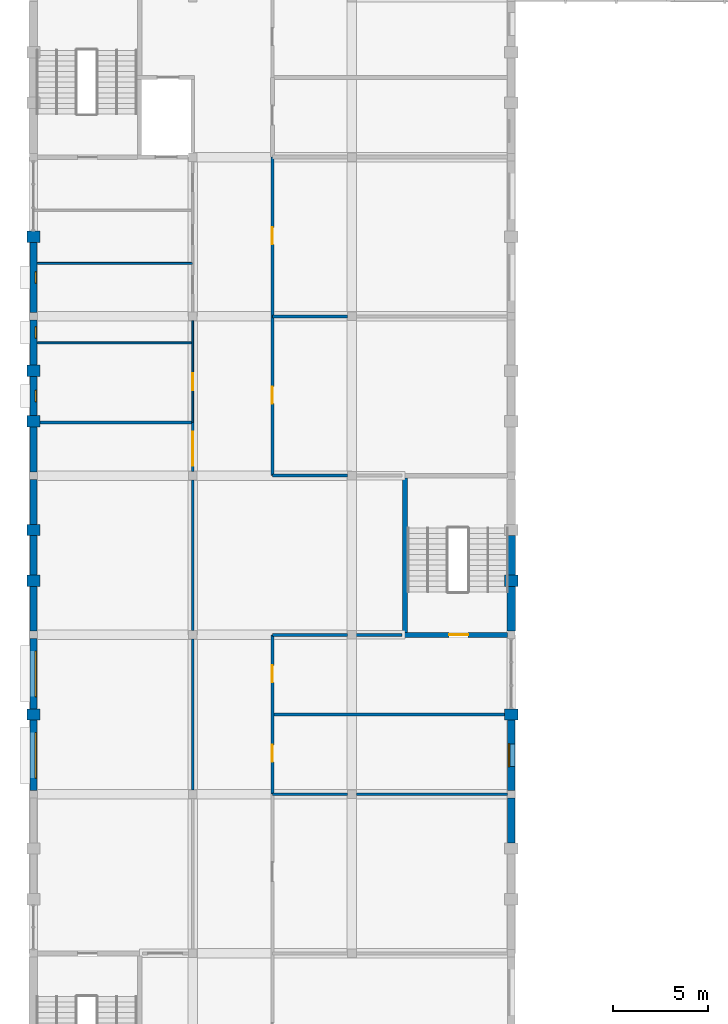
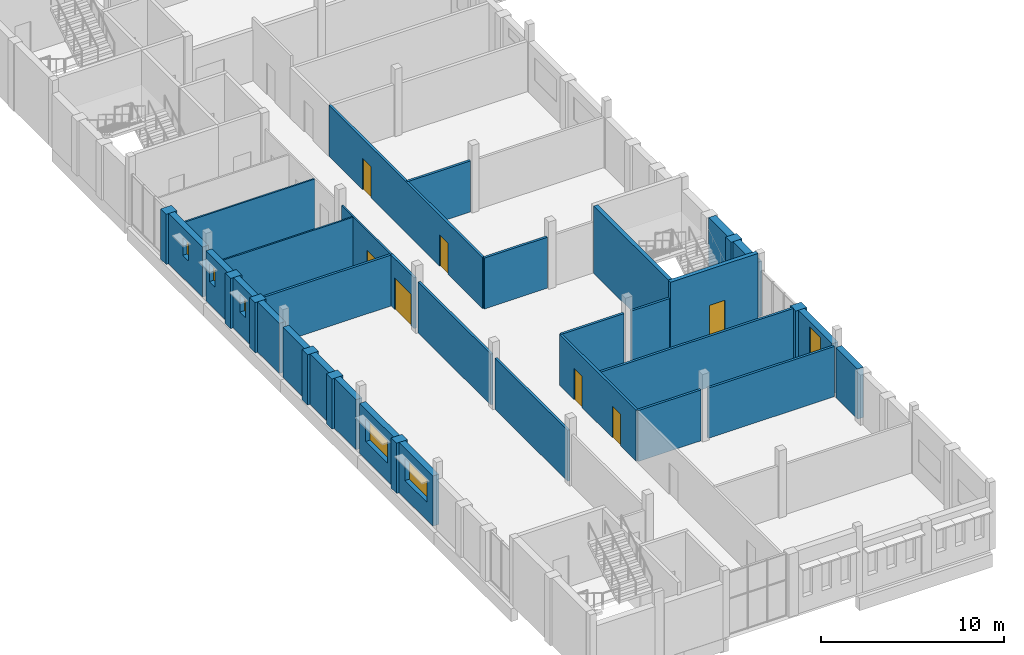
# One storey, part 19 of 30: 39 walls, 7 doors, 6 windows, 13 openings.
"""IFC4 building model written with IfcOpenShell, lengths in metres."""

from ifc_helpers import new_model, si_unit, direction, frame, frame_2d, origin, place, context, subcontext, project, spatial, rectangle, extrude, material, layer, layer_set, type_object, element, fill, save


model = new_model("IFC4")

# Units and contexts
model_context = context("Model", 3, precision=1e-05, world=origin(), true_north=direction((0.0, 1.0)))
body_context = subcontext(model_context, "Body", "Model", "MODEL_VIEW")
ifc_project = project(units=[si_unit("LENGTHUNIT", "METRE"), si_unit("AREAUNIT", "SQUARE_METRE"), si_unit("VOLUMEUNIT", "CUBIC_METRE"), si_unit("PLANEANGLEUNIT", "RADIAN"), si_unit("MASSUNIT", "GRAM", prefix="KILO")], contexts=[model_context])

# Site, building, storey
site_placement = place(None, origin())
site = spatial("IfcSite", under=ifc_project, at=site_placement, CompositionType="ELEMENT")
building_placement = place(site_placement, origin())
building = spatial("IfcBuilding", under=site, at=building_placement, Name="Fescue Hill Polytechnic", CompositionType="ELEMENT")
storey_placement = place(building_placement, frame((0.0, 0.0, 22.5)))
storey = spatial("IfcBuildingStorey", under=building, at=storey_placement, Name="L05", CompositionType="ELEMENT", Elevation=22.5)

# Wall, opening, door
ifc_material_1 = material(Name="Concrete 40 MPa", Category="concrete")
ifc_layer_1 = layer(ifc_material_1, 0.25)
ifc_layer_set_1 = layer_set([ifc_layer_1], Name="Concrete 40 MPa")
wall_type_1 = type_object("IfcWallType", Name="Core wall 250", PredefinedType="SHEAR", material=ifc_layer_set_1)
wall_1_placement = place(storey_placement, frame((19.47509765625, 75.60009765625, 0.0), z_axis=(0.0, 0.0, 1.0), x_axis=(1.0, 0.0, 0.0)))
wall_1 = element("IfcWall", 1, at=wall_1_placement, inside=storey, type_object=wall_type_1, Name="CW-L05-ST-V4-3-11", PredefinedType="SHEAR", context=body_context, shape_type="SweptSolid", body=[
    extrude(rectangle(XDim=5.52490234375, YDim=0.25, at=frame_2d((2.762451171875, 0.0))), origin(), (0.0, 0.0, 1.0), 4.5),
])
opening_1_placement = place(wall_1_placement, frame((2.449951171875, 0.0, 0.0)))
opening_1 = element("IfcOpeningElement", 2, at=opening_1_placement, cuts=wall_1, Name="Opening D5042", PredefinedType="OPENING", context=body_context, shape_type="SweptSolid", body=[
    extrude(rectangle(XDim=1.0, YDim=2.10009765625, at=frame_2d((0.5, 1.050048828125))), frame((0.0, 0.135009765625, 0.0), z_axis=(0.0, -1.0, 0.0), x_axis=(1.0, 0.0, 0.0)), (0.0, 0.0, 1.0), 0.27001953125),
])
ifc_material_2 = material(Name="Steel fire door", Category="steel")
door_type_1 = type_object("IfcDoorType", Name="Door single swing 1000x2100 stair fire rated", OperationType="NOTDEFINED", PredefinedType="DOOR", material=ifc_material_2)
door_1_placement = place(opening_1_placement, origin())
door_1 = element("IfcDoor", 3, at=door_1_placement, inside=storey, type_object=door_type_1, Name="L05 ST-V4-3 stair door", OperationType="SINGLE_SWING_RIGHT", OverallHeight=2.10009765625, OverallWidth=1.0, PredefinedType="DOOR", context=body_context, shape_type="SweptSolid", body=[
    extrude(rectangle(XDim=1.0, YDim=2.10009765625, at=frame_2d((0.5, 1.050048828125))), frame((0.0, 0.02490234375, 0.0), z_axis=(0.0, -1.0, 0.0), x_axis=(1.0, 0.0, 0.0)), (0.0, 0.0, 1.0), 0.050048828125),
])
fill(opening_1, door_1)

# Wall
wall_2_placement = place(storey_placement, frame((19.60009765625, 75.72509765625, 0.0), z_axis=(0.0, 0.0, 1.0), x_axis=(0.0, 1.0, 0.0)))
element("IfcWall", 4, at=wall_2_placement, inside=storey, type_object=wall_type_1, Name="CW-L05-ST-V4-3-31", PredefinedType="SHEAR", context=body_context, shape_type="SweptSolid", body=[
    extrude(rectangle(XDim=8.14990234375, YDim=0.25, at=frame_2d((4.074951171875, 0.0))), origin(), (0.0, 0.0, 1.0), 4.5),
])

# Wall, openings, doors
ifc_material_3 = material(Name="Gypsum board partition")
ifc_layer_2 = layer(ifc_material_3, 0.14990234375)
ifc_layer_set_2 = layer_set([ifc_layer_2], Name="Gypsum board partition")
wall_type_2 = type_object("IfcWallType", Name="Corridor wall 150 EI 45", PredefinedType="PARTITIONING", material=ifc_layer_set_2)
wall_3_placement = place(storey_placement, frame((12.60009765625, 67.199951171875, 0.0), z_axis=(0.0, 0.0, 1.0), x_axis=(0.0, 1.0, 0.0)))
wall_3 = element("IfcWall", 5, at=wall_3_placement, inside=storey, type_object=wall_type_2, Name="IW-L05-049", PredefinedType="PARTITIONING", context=body_context, shape_type="SweptSolid", body=[
    extrude(rectangle(XDim=8.400146484375, YDim=0.14990234375, at=frame_2d((4.2001953125, 0.0))), origin(), (0.0, 0.0, 1.0), 3.39990234375),
])
opening_2_placement = place(wall_3_placement, frame((1.699951171875, 0.0, 0.0)))
opening_2 = element("IfcOpeningElement", 6, at=opening_2_placement, cuts=wall_3, Name="Opening D5011", PredefinedType="OPENING", context=body_context, shape_type="SweptSolid", body=[
    extrude(rectangle(XDim=0.89990234375, YDim=2.10009765625, at=frame_2d((0.449951171875, 1.050048828125))), frame((0.0, 0.0849609375, 0.0), z_axis=(0.0, -1.0, 0.0), x_axis=(1.0, 0.0, 0.0)), (0.0, 0.0, 1.0), 0.169921875),
])
opening_3_placement = place(wall_3_placement, frame((5.89990234375, 0.0, 0.0)))
opening_3 = element("IfcOpeningElement", 7, at=opening_3_placement, cuts=wall_3, Name="Opening D5012", PredefinedType="OPENING", context=body_context, shape_type="SweptSolid", body=[
    extrude(rectangle(XDim=0.89990234375, YDim=2.10009765625, at=frame_2d((0.449951171875, 1.050048828125))), frame((0.0, 0.0849609375, 0.0), z_axis=(0.0, -1.0, 0.0), x_axis=(1.0, 0.0, 0.0)), (0.0, 0.0, 1.0), 0.169921875),
])
ifc_material_4 = material(Name="Timber", Category="wood")
door_type_2 = type_object("IfcDoorType", Name="Door single swing 900x2100 FD30S", OperationType="SINGLE_SWING_LEFT", PredefinedType="DOOR", material=ifc_material_4)
door_2_placement = place(opening_2_placement, origin())
door_2 = element("IfcDoor", 8, at=door_2_placement, inside=storey, type_object=door_type_2, Name="Door D5011", OperationType="SINGLE_SWING_LEFT", OverallHeight=2.10009765625, OverallWidth=0.89990234375, PredefinedType="DOOR", context=body_context, shape_type="SweptSolid", body=[
    extrude(rectangle(XDim=0.89990234375, YDim=2.10009765625, at=frame_2d((0.449951171875, 1.050048828125))), frame((0.0, 0.02490234375, 0.0), z_axis=(0.0, -1.0, 0.0), x_axis=(1.0, 0.0, 0.0)), (0.0, 0.0, 1.0), 0.050048828125),
])
fill(opening_2, door_2)
door_3_placement = place(opening_3_placement, origin())
door_3 = element("IfcDoor", 9, at=door_3_placement, inside=storey, type_object=door_type_2, Name="Door D5012", OperationType="SINGLE_SWING_RIGHT", OverallHeight=2.10009765625, OverallWidth=0.89990234375, PredefinedType="DOOR", context=body_context, shape_type="SweptSolid", body=[
    extrude(rectangle(XDim=0.89990234375, YDim=2.10009765625, at=frame_2d((0.449951171875, 1.050048828125))), frame((0.0, 0.02490234375, 0.0), z_axis=(0.0, -1.0, 0.0), x_axis=(1.0, 0.0, 0.0)), (0.0, 0.0, 1.0), 0.050048828125),
])
fill(opening_3, door_3)

wall_4_placement = place(storey_placement, frame((12.60009765625, 84.0, 0.0), z_axis=(0.0, 0.0, 1.0), x_axis=(0.0, 1.0, 0.0)))
wall_4 = element("IfcWall", 10, at=wall_4_placement, inside=storey, type_object=wall_type_2, Name="IW-L05-050", PredefinedType="PARTITIONING", context=body_context, shape_type="SweptSolid", body=[
    extrude(rectangle(XDim=16.800048828125, YDim=0.14990234375, at=frame_2d((8.39990234375, 0.0))), origin(), (0.0, 0.0, 1.0), 3.39990234375),
])
opening_4_placement = place(wall_4_placement, frame((3.800048828125, 0.0, 0.0)))
opening_4 = element("IfcOpeningElement", 11, at=opening_4_placement, cuts=wall_4, Name="Opening D5013", PredefinedType="OPENING", context=body_context, shape_type="SweptSolid", body=[
    extrude(rectangle(XDim=0.89990234375, YDim=2.10009765625, at=frame_2d((0.449951171875, 1.050048828125))), frame((0.0, 0.0849609375, 0.0), z_axis=(0.0, -1.0, 0.0), x_axis=(1.0, 0.0, 0.0)), (0.0, 0.0, 1.0), 0.169921875),
])
opening_5_placement = place(wall_4_placement, frame((12.199951171875, 0.0, 0.0)))
opening_5 = element("IfcOpeningElement", 12, at=opening_5_placement, cuts=wall_4, Name="Opening D5014", PredefinedType="OPENING", context=body_context, shape_type="SweptSolid", body=[
    extrude(rectangle(XDim=0.89990234375, YDim=2.10009765625, at=frame_2d((0.449951171875, 1.050048828125))), frame((0.0, 0.0849609375, 0.0), z_axis=(0.0, -1.0, 0.0), x_axis=(1.0, 0.0, 0.0)), (0.0, 0.0, 1.0), 0.169921875),
])
door_4_placement = place(opening_4_placement, origin())
door_4 = element("IfcDoor", 13, at=door_4_placement, inside=storey, type_object=door_type_2, Name="Door D5013", OperationType="SINGLE_SWING_LEFT", OverallHeight=2.10009765625, OverallWidth=0.89990234375, PredefinedType="DOOR", context=body_context, shape_type="SweptSolid", body=[
    extrude(rectangle(XDim=0.89990234375, YDim=2.10009765625, at=frame_2d((0.449951171875, 1.050048828125))), frame((0.0, 0.02490234375, 0.0), z_axis=(0.0, -1.0, 0.0), x_axis=(1.0, 0.0, 0.0)), (0.0, 0.0, 1.0), 0.050048828125),
])
fill(opening_4, door_4)
door_5_placement = place(opening_5_placement, origin())
door_5 = element("IfcDoor", 14, at=door_5_placement, inside=storey, type_object=door_type_2, Name="Door D5014", OperationType="SINGLE_SWING_RIGHT", OverallHeight=2.10009765625, OverallWidth=0.89990234375, PredefinedType="DOOR", context=body_context, shape_type="SweptSolid", body=[
    extrude(rectangle(XDim=0.89990234375, YDim=2.10009765625, at=frame_2d((0.449951171875, 1.050048828125))), frame((0.0, 0.02490234375, 0.0), z_axis=(0.0, -1.0, 0.0), x_axis=(1.0, 0.0, 0.0)), (0.0, 0.0, 1.0), 0.050048828125),
])
fill(opening_5, door_5)

# Walls
ifc_layer_3 = layer(ifc_material_1, 0.449951171875)
ifc_layer_set_3 = layer_set([ifc_layer_3], Name="Concrete 40 MPa")
wall_type_3 = type_object("IfcWallType", Name="Exterior wall board-marked concrete 450 load-bearing", PredefinedType="SOLIDWALL", material=ifc_layer_set_3)
wall_5_placement = place(storey_placement, frame((25.199951171875, 75.800048828125, 0.0), z_axis=(0.0, 0.0, 1.0), x_axis=(0.0, 1.0, 0.0)))
element("IfcWall", 15, at=wall_5_placement, inside=storey, type_object=wall_type_3, Name="EW-L05-V4-8", PredefinedType="SOLIDWALL", context=body_context, shape_type="SweptSolid", body=[
    extrude(rectangle(XDim=2.36669921875, YDim=0.449951171875, at=frame_2d((1.183349609375, 0.0))), origin(), (0.0, 0.0, 1.0), 3.64990234375),
])
wall_6_placement = place(storey_placement, frame((25.199951171875, 78.7666015625, 0.0), z_axis=(0.0, 0.0, 1.0), x_axis=(0.0, 1.0, 0.0)))
element("IfcWall", 16, at=wall_6_placement, inside=storey, type_object=wall_type_3, Name="EW-L05-V4-9", PredefinedType="SOLIDWALL", context=body_context, shape_type="SweptSolid", body=[
    extrude(rectangle(XDim=2.066650390625, YDim=0.449951171875, at=frame_2d((1.033203125, 0.0))), origin(), (0.0, 0.0, 1.0), 3.64990234375),
])
ifc_material_5 = material(Name="Terracotta rainscreen on concrete block", Category="masonry")
ifc_layer_4 = layer(ifc_material_5, 0.3798828125)
ifc_layer_set_4 = layer_set([ifc_layer_4], Name="Terracotta rainscreen on concrete block")
wall_type_4 = type_object("IfcWallType", Name="Exterior wall rainscreen terracotta on blockwork 380", PredefinedType="SOLIDWALL", material=ifc_layer_set_4)
wall_7_placement = place(storey_placement, frame((25.199951171875, 64.63330078125, 0.0), z_axis=(0.0, 0.0, 1.0), x_axis=(0.0, 1.0, 0.0)))
element("IfcWall", 17, at=wall_7_placement, inside=storey, type_object=wall_type_4, Name="EW-L05-V4-5", PredefinedType="SOLIDWALL", context=body_context, shape_type="SweptSolid", body=[
    extrude(rectangle(XDim=2.36669921875, YDim=0.3798828125, at=frame_2d((1.183349609375, 0.0))), origin(), (0.0, 0.0, 1.0), 3.35009765625),
])

# Wall, opening, window
wall_8_placement = place(storey_placement, frame((25.199951171875, 67.39990234375, 0.0), z_axis=(0.0, 0.0, 1.0), x_axis=(0.0, 1.0, 0.0)))
wall_8 = element("IfcWall", 18, at=wall_8_placement, inside=storey, type_object=wall_type_4, Name="EW-L05-V4-6", PredefinedType="SOLIDWALL", context=body_context, shape_type="SweptSolid", body=[
    extrude(rectangle(XDim=3.7001953125, YDim=0.3798828125, at=frame_2d((1.85009765625, 0.0))), origin(), (0.0, 0.0, 1.0), 3.35009765625),
])
opening_6_placement = place(wall_8_placement, frame((1.25, 0.0, 0.89990234375)))
opening_6 = element("IfcOpeningElement", 19, at=opening_6_placement, cuts=wall_8, Name="Opening W13", PredefinedType="OPENING", context=body_context, shape_type="SweptSolid", body=[
    extrude(rectangle(XDim=1.199951171875, YDim=2.10009765625, at=frame_2d((0.60009765625, 1.050048828125))), frame((0.0, 0.199951171875, 0.0), z_axis=(0.0, -1.0, 0.0), x_axis=(1.0, 0.0, 0.0)), (0.0, 0.0, 1.0), 0.39990234375),
])
ifc_material_6 = material(Name="Powder-coated aluminium and glass", Category="aluminium")
window_type_1 = type_object("IfcWindowType", Name="Window cellular office 1200x2100", PartitioningType="SINGLE_PANEL", PredefinedType="WINDOW", material=ifc_material_6)
window_1_placement = place(opening_6_placement, origin())
window_1 = element("IfcWindow", 20, at=window_1_placement, inside=storey, type_object=window_type_1, Name="WN-L05-V4-3", OverallHeight=2.10009765625, OverallWidth=1.199951171875, PartitioningType="SINGLE_PANEL", PredefinedType="WINDOW", context=body_context, shape_type="SweptSolid", body=[
    extrude(rectangle(XDim=1.199951171875, YDim=2.10009765625, at=frame_2d((0.60009765625, 1.050048828125))), frame((0.0, 0.150146484375, 0.0), z_axis=(0.0, -1.0, 0.0), x_axis=(1.0, 0.0, 0.0)), (0.0, 0.0, 1.0), 0.06005859375),
])
fill(opening_6, window_1)

wall_9_placement = place(storey_placement, frame((0.0, 96.300048828125, 0.0), z_axis=(0.0, 0.0, 1.0), x_axis=(0.0, -1.0, 0.0)))
wall_9 = element("IfcWall", 21, at=wall_9_placement, inside=storey, type_object=wall_type_4, Name="EW-L05-V4-23", PredefinedType="SOLIDWALL", context=body_context, shape_type="SweptSolid", body=[
    extrude(rectangle(XDim=3.699951171875, YDim=0.3798828125, at=frame_2d((1.85009765625, 0.0))), origin(), (0.0, 0.0, 1.0), 3.35009765625),
])
opening_7_placement = place(wall_9_placement, frame((1.550048828125, 0.0, 1.5)))
opening_7 = element("IfcOpeningElement", 22, at=opening_7_placement, cuts=wall_9, Name="Opening W11", PredefinedType="OPENING", context=body_context, shape_type="SweptSolid", body=[
    extrude(rectangle(XDim=0.60009765625, YDim=1.199951171875, at=frame_2d((0.300048828125, 0.60009765625))), frame((0.0, 0.199951171875, 0.0), z_axis=(0.0, -1.0, 0.0), x_axis=(1.0, 0.0, 0.0)), (0.0, 0.0, 1.0), 0.39990234375),
])
window_type_2 = type_object("IfcWindowType", Name="Window WC high-level 600x1200", PartitioningType="SINGLE_PANEL", PredefinedType="WINDOW", material=ifc_material_6)
window_2_placement = place(opening_7_placement, origin())
window_2 = element("IfcWindow", 23, at=window_2_placement, inside=storey, type_object=window_type_2, Name="WN-L05-V4-8", OverallHeight=1.199951171875, OverallWidth=0.60009765625, PartitioningType="SINGLE_PANEL", PredefinedType="WINDOW", context=body_context, shape_type="SweptSolid", body=[
    extrude(rectangle(XDim=0.60009765625, YDim=1.199951171875, at=frame_2d((0.300048828125, 0.60009765625))), frame((0.0, 0.150146484375, 0.0), z_axis=(0.0, -1.0, 0.0), x_axis=(1.0, 0.0, 0.0)), (0.0, 0.0, 1.0), 0.06005859375),
])
fill(opening_7, window_2)

wall_10_placement = place(storey_placement, frame((0.0, 92.199951171875, 0.0), z_axis=(0.0, 0.0, 1.0), x_axis=(0.0, -1.0, 0.0)))
wall_10 = element("IfcWall", 24, at=wall_10_placement, inside=storey, type_object=wall_type_4, Name="EW-L05-V4-24", PredefinedType="SOLIDWALL", context=body_context, shape_type="SweptSolid", body=[
    extrude(rectangle(XDim=2.36669921875, YDim=0.3798828125, at=frame_2d((1.183349609375, 0.0))), origin(), (0.0, 0.0, 1.0), 3.35009765625),
])
opening_8_placement = place(wall_10_placement, frame((0.35009765625, 0.0, 1.5)))
opening_8 = element("IfcOpeningElement", 25, at=opening_8_placement, cuts=wall_10, Name="Opening W11", PredefinedType="OPENING", context=body_context, shape_type="SweptSolid", body=[
    extrude(rectangle(XDim=0.60009765625, YDim=1.199951171875, at=frame_2d((0.300048828125, 0.60009765625))), frame((0.0, 0.199951171875, 0.0), z_axis=(0.0, -1.0, 0.0), x_axis=(1.0, 0.0, 0.0)), (0.0, 0.0, 1.0), 0.39990234375),
])
window_3_placement = place(opening_8_placement, origin())
window_3 = element("IfcWindow", 26, at=window_3_placement, inside=storey, type_object=window_type_2, Name="WN-L05-V4-9", OverallHeight=1.199951171875, OverallWidth=0.60009765625, PartitioningType="SINGLE_PANEL", PredefinedType="WINDOW", context=body_context, shape_type="SweptSolid", body=[
    extrude(rectangle(XDim=0.60009765625, YDim=1.199951171875, at=frame_2d((0.300048828125, 0.60009765625))), frame((0.0, 0.150146484375, 0.0), z_axis=(0.0, -1.0, 0.0), x_axis=(1.0, 0.0, 0.0)), (0.0, 0.0, 1.0), 0.06005859375),
])
fill(opening_8, window_3)

wall_11_placement = place(storey_placement, frame((0.0, 89.2333984375, 0.0), z_axis=(0.0, 0.0, 1.0), x_axis=(0.0, -1.0, 0.0)))
wall_11 = element("IfcWall", 27, at=wall_11_placement, inside=storey, type_object=wall_type_4, Name="EW-L05-V4-25", PredefinedType="SOLIDWALL", context=body_context, shape_type="SweptSolid", body=[
    extrude(rectangle(XDim=2.066650390625, YDim=0.3798828125, at=frame_2d((1.033203125, 0.0))), origin(), (0.0, 0.0, 1.0), 3.35009765625),
])
opening_9_placement = place(wall_11_placement, frame((0.7333984375, 0.0, 1.5)))
opening_9 = element("IfcOpeningElement", 28, at=opening_9_placement, cuts=wall_11, Name="Opening W11", PredefinedType="OPENING", context=body_context, shape_type="SweptSolid", body=[
    extrude(rectangle(XDim=0.60009765625, YDim=1.199951171875, at=frame_2d((0.300048828125, 0.60009765625))), frame((0.0, 0.199951171875, 0.0), z_axis=(0.0, -1.0, 0.0), x_axis=(1.0, 0.0, 0.0)), (0.0, 0.0, 1.0), 0.39990234375),
])
window_4_placement = place(opening_9_placement, origin())
window_4 = element("IfcWindow", 29, at=window_4_placement, inside=storey, type_object=window_type_2, Name="WN-L05-V4-10", OverallHeight=1.199951171875, OverallWidth=0.60009765625, PartitioningType="SINGLE_PANEL", PredefinedType="WINDOW", context=body_context, shape_type="SweptSolid", body=[
    extrude(rectangle(XDim=0.60009765625, YDim=1.199951171875, at=frame_2d((0.300048828125, 0.60009765625))), frame((0.0, 0.150146484375, 0.0), z_axis=(0.0, -1.0, 0.0), x_axis=(1.0, 0.0, 0.0)), (0.0, 0.0, 1.0), 0.06005859375),
])
fill(opening_9, window_4)

# Walls
for number, where, z_axis, x_axis, name in (
    (30, (0.0, 86.566650390625, 0.0), (0.0, 0.0, 1.0), (0.0, -1.0, 0.0), "EW-L05-V4-26"),
    (31, (0.0, 83.800048828125, 0.0), (0.0, 0.0, 1.0), (0.0, -1.0, 0.0), "EW-L05-V4-27"),
):
    element("IfcWall", number, at=place(storey_placement, frame(where, z_axis=z_axis, x_axis=x_axis)), inside=storey, type_object=wall_type_4, Name=name, PredefinedType="SOLIDWALL", context=body_context, shape_type="SweptSolid", body=[
        extrude(rectangle(XDim=2.36669921875, YDim=0.3798828125, at=frame_2d((1.183349609375, 0.0))), origin(), (0.0, 0.0, 1.0), 3.35009765625),
    ])
wall_12_placement = place(storey_placement, frame((0.0, 80.833251953125, 0.0), z_axis=(0.0, 0.0, 1.0), x_axis=(0.0, -1.0, 0.0)))
element("IfcWall", 32, at=wall_12_placement, inside=storey, type_object=wall_type_4, Name="EW-L05-V4-28", PredefinedType="SOLIDWALL", context=body_context, shape_type="SweptSolid", body=[
    extrude(rectangle(XDim=2.066650390625, YDim=0.3798828125, at=frame_2d((1.033203125, 0.0))), origin(), (0.0, 0.0, 1.0), 3.35009765625),
])
wall_13_placement = place(storey_placement, frame((0.0, 78.166748046875, 0.0), z_axis=(0.0, 0.0, 1.0), x_axis=(0.0, -1.0, 0.0)))
element("IfcWall", 33, at=wall_13_placement, inside=storey, type_object=wall_type_4, Name="EW-L05-V4-29", PredefinedType="SOLIDWALL", context=body_context, shape_type="SweptSolid", body=[
    extrude(rectangle(XDim=2.36669921875, YDim=0.3798828125, at=frame_2d((1.183349609375, 0.0))), origin(), (0.0, 0.0, 1.0), 3.35009765625),
])

# Wall, opening, window
wall_14_placement = place(storey_placement, frame((0.0, 75.39990234375, 0.0), z_axis=(0.0, 0.0, 1.0), x_axis=(0.0, -1.0, 0.0)))
wall_14 = element("IfcWall", 34, at=wall_14_placement, inside=storey, type_object=wall_type_4, Name="EW-L05-V4-30", PredefinedType="SOLIDWALL", context=body_context, shape_type="SweptSolid", body=[
    extrude(rectangle(XDim=3.699951171875, YDim=0.3798828125, at=frame_2d((1.85009765625, 0.0))), origin(), (0.0, 0.0, 1.0), 3.35009765625),
])
opening_10_placement = place(wall_14_placement, frame((0.64990234375, 0.0, 1.199951171875)))
opening_10 = element("IfcOpeningElement", 35, at=opening_10_placement, cuts=wall_14, Name="Opening W3", PredefinedType="OPENING", context=body_context, shape_type="SweptSolid", body=[
    extrude(rectangle(XDim=2.39990234375, YDim=1.5, at=frame_2d((1.199951171875, 0.75))), frame((0.0, 0.199951171875, 0.0), z_axis=(0.0, -1.0, 0.0), x_axis=(1.0, 0.0, 0.0)), (0.0, 0.0, 1.0), 0.39990234375),
])
window_type_3 = type_object("IfcWindowType", Name="Window laboratory strip 2400x1500", PartitioningType="TRIPLE_PANEL_VERTICAL", PredefinedType="WINDOW", material=ifc_material_6)
window_5_placement = place(opening_10_placement, origin())
window_5 = element("IfcWindow", 36, at=window_5_placement, inside=storey, type_object=window_type_3, Name="WN-L05-V4-11", OverallHeight=1.5, OverallWidth=2.39990234375, PartitioningType="SINGLE_PANEL", PredefinedType="WINDOW", context=body_context, shape_type="SweptSolid", body=[
    extrude(rectangle(XDim=2.39990234375, YDim=1.5, at=frame_2d((1.199951171875, 0.75))), frame((0.0, 0.150146484375, 0.0), z_axis=(0.0, -1.0, 0.0), x_axis=(1.0, 0.0, 0.0)), (0.0, 0.0, 1.0), 0.06005859375),
])
fill(opening_10, window_5)

wall_15_placement = place(storey_placement, frame((0.0, 71.10009765625, 0.0), z_axis=(0.0, 0.0, 1.0), x_axis=(0.0, -1.0, 0.0)))
wall_15 = element("IfcWall", 37, at=wall_15_placement, inside=storey, type_object=wall_type_4, Name="EW-L05-V4-31", PredefinedType="SOLIDWALL", context=body_context, shape_type="SweptSolid", body=[
    extrude(rectangle(XDim=3.7001953125, YDim=0.3798828125, at=frame_2d((1.85009765625, 0.0))), origin(), (0.0, 0.0, 1.0), 3.35009765625),
])
opening_11_placement = place(wall_15_placement, frame((0.64990234375, 0.0, 1.199951171875)))
opening_11 = element("IfcOpeningElement", 38, at=opening_11_placement, cuts=wall_15, Name="Opening W3", PredefinedType="OPENING", context=body_context, shape_type="SweptSolid", body=[
    extrude(rectangle(XDim=2.39990234375, YDim=1.5, at=frame_2d((1.199951171875, 0.75))), frame((0.0, 0.199951171875, 0.0), z_axis=(0.0, -1.0, 0.0), x_axis=(1.0, 0.0, 0.0)), (0.0, 0.0, 1.0), 0.39990234375),
])
window_6_placement = place(opening_11_placement, origin())
window_6 = element("IfcWindow", 39, at=window_6_placement, inside=storey, type_object=window_type_3, Name="WN-L05-V4-12", OverallHeight=1.5, OverallWidth=2.39990234375, PartitioningType="SINGLE_PANEL", PredefinedType="WINDOW", context=body_context, shape_type="SweptSolid", body=[
    extrude(rectangle(XDim=2.39990234375, YDim=1.5, at=frame_2d((1.199951171875, 0.75))), frame((0.0, 0.150146484375, 0.0), z_axis=(0.0, -1.0, 0.0), x_axis=(1.0, 0.0, 0.0)), (0.0, 0.0, 1.0), 0.06005859375),
])
fill(opening_11, window_6)

# Walls
ifc_layer_5 = layer(ifc_material_1, 0.699951171875)
ifc_layer_set_5 = layer_set([ifc_layer_5], Name="Concrete 40 MPa")
wall_type_5 = type_object("IfcWallType", Name="Fin wall board-marked 600x700", PredefinedType="SOLIDWALL", material=ifc_layer_set_5)
wall_16_placement = place(storey_placement, frame((25.199951171875, 71.10009765625, 0.0), z_axis=(0.0, 0.0, 1.0), x_axis=(0.0, 1.0, 0.0)))
element("IfcWall", 40, at=wall_16_placement, inside=storey, type_object=wall_type_5, Name="PR-L05-V4-4", PredefinedType="SOLIDWALL", context=body_context, shape_type="SweptSolid", body=[
    extrude(rectangle(XDim=0.599853515625, YDim=0.699951171875, at=frame_2d((0.2998046875, 0.0))), origin(), (0.0, 0.0, 1.0), 3.35009765625),
])
wall_17_placement = place(storey_placement, frame((25.199951171875, 78.166748046875, 0.0), z_axis=(0.0, 0.0, 1.0), x_axis=(0.0, 1.0, 0.0)))
element("IfcWall", 41, at=wall_17_placement, inside=storey, type_object=wall_type_5, Name="PR-L05-V4-5", PredefinedType="SOLIDWALL", context=body_context, shape_type="SweptSolid", body=[
    extrude(rectangle(XDim=0.599853515625, YDim=0.699951171875, at=frame_2d((0.2998046875, 0.0))), origin(), (0.0, 0.0, 1.0), 3.64990234375),
])
for number, where, z_axis, x_axis, name in (
    (42, (0.0, 96.89990234375, 0.0), (0.0, 0.0, 1.0), (0.0, -1.0, 0.0), "PR-L05-V4-14"),
    (43, (0.0, 89.833251953125, 0.0), (0.0, 0.0, 1.0), (0.0, -1.0, 0.0), "PR-L05-V4-15"),
):
    element("IfcWall", number, at=place(storey_placement, frame(where, z_axis=z_axis, x_axis=x_axis)), inside=storey, type_object=wall_type_5, Name=name, PredefinedType="SOLIDWALL", context=body_context, shape_type="SweptSolid", body=[
        extrude(rectangle(XDim=0.599853515625, YDim=0.699951171875, at=frame_2d((0.2998046875, 0.0))), origin(), (0.0, 0.0, 1.0), 3.35009765625),
    ])
for number, where, z_axis, x_axis, name in (
    (44, (0.0, 87.166748046875, 0.0), (0.0, 0.0, 1.0), (0.0, -1.0, 0.0), "PR-L05-V4-16"),
    (45, (0.0, 81.433349609375, 0.0), (0.0, 0.0, 1.0), (0.0, -1.0, 0.0), "PR-L05-V4-17"),
):
    element("IfcWall", number, at=place(storey_placement, frame(where, z_axis=z_axis, x_axis=x_axis)), inside=storey, type_object=wall_type_5, Name=name, PredefinedType="SOLIDWALL", context=body_context, shape_type="SweptSolid", body=[
        extrude(rectangle(XDim=0.60009765625, YDim=0.699951171875, at=frame_2d((0.300048828125, 0.0))), origin(), (0.0, 0.0, 1.0), 3.35009765625),
    ])
for number, where, z_axis, x_axis, name in (
    (46, (0.0, 78.7666015625, 0.0), (0.0, 0.0, 1.0), (0.0, -1.0, 0.0), "PR-L05-V4-18"),
    (47, (0.0, 71.699951171875, 0.0), (0.0, 0.0, 1.0), (0.0, -1.0, 0.0), "PR-L05-V4-19"),
):
    element("IfcWall", number, at=place(storey_placement, frame(where, z_axis=z_axis, x_axis=x_axis)), inside=storey, type_object=wall_type_5, Name=name, PredefinedType="SOLIDWALL", context=body_context, shape_type="SweptSolid", body=[
        extrude(rectangle(XDim=0.599853515625, YDim=0.699951171875, at=frame_2d((0.2998046875, 0.0))), origin(), (0.0, 0.0, 1.0), 3.35009765625),
    ])
ifc_material_7 = material(Name="Concrete masonry block 15 MPa", Category="masonry")
ifc_layer_6 = layer(ifc_material_7, 0.14990234375)
ifc_layer_set_6 = layer_set([ifc_layer_6], Name="Concrete masonry block 15 MPa")
wall_type_6 = type_object("IfcWallType", Name="Laboratory wall 150 block EI 60", PredefinedType="PARTITIONING", material=ifc_layer_set_6)
wall_18_placement = place(storey_placement, frame((12.60009765625, 67.199951171875, 0.0), z_axis=(0.0, 0.0, 1.0), x_axis=(1.0, 0.0, 0.0)))
element("IfcWall", 48, at=wall_18_placement, inside=storey, type_object=wall_type_6, Name="IW-L05-004", PredefinedType="PARTITIONING", context=body_context, shape_type="SweptSolid", body=[
    extrude(rectangle(XDim=3.974853515625, YDim=0.14990234375, at=frame_2d((1.9873046875, 0.0))), origin(), (0.0, 0.0, 1.0), 3.39990234375),
])
wall_19_placement = place(storey_placement, frame((17.02490234375, 67.199951171875, 0.0), z_axis=(0.0, 0.0, 1.0), x_axis=(1.0, 0.0, 0.0)))
element("IfcWall", 49, at=wall_19_placement, inside=storey, type_object=wall_type_6, Name="IW-L05-005", PredefinedType="PARTITIONING", context=body_context, shape_type="SweptSolid", body=[
    extrude(rectangle(XDim=7.97509765625, YDim=0.14990234375, at=frame_2d((3.987548828125, 0.0))), origin(), (0.0, 0.0, 1.0), 3.35009765625),
])
wall_20_placement = place(storey_placement, frame((0.35009765625, 86.800048828125, 0.0), z_axis=(0.0, 0.0, 1.0), x_axis=(1.0, 0.0, 0.0)))
element("IfcWall", 50, at=wall_20_placement, inside=storey, type_object=wall_type_6, Name="IW-L05-011", PredefinedType="PARTITIONING", context=body_context, shape_type="SweptSolid", body=[
    extrude(rectangle(XDim=8.0498046875, YDim=0.14990234375, at=frame_2d((4.02490234375, 0.0))), origin(), (0.0, 0.0, 1.0), 3.39990234375),
])
for number, where, z_axis, x_axis, name in (
    (51, (8.39990234375, 67.425048828125, 0.0), (0.0, 0.0, 1.0), (0.0, 1.0, 0.0), "IW-L05-042"),
    (52, (8.39990234375, 75.824951171875, 0.0), (0.0, 0.0, 1.0), (0.0, 1.0, 0.0), "IW-L05-043"),
):
    element("IfcWall", number, at=place(storey_placement, frame(where, z_axis=z_axis, x_axis=x_axis)), inside=storey, type_object=wall_type_6, Name=name, PredefinedType="PARTITIONING", context=body_context, shape_type="SweptSolid", body=[
        extrude(rectangle(XDim=7.949951171875, YDim=0.14990234375, at=frame_2d((3.97509765625, 0.0))), origin(), (0.0, 0.0, 1.0), 3.39990234375),
    ])

# Wall, opening, door
wall_21_placement = place(storey_placement, frame((8.39990234375, 84.22509765625, 0.0), z_axis=(0.0, 0.0, 1.0), x_axis=(0.0, 1.0, 0.0)))
wall_21 = element("IfcWall", 53, at=wall_21_placement, inside=storey, type_object=wall_type_6, Name="IW-L05-044", PredefinedType="PARTITIONING", context=body_context, shape_type="SweptSolid", body=[
    extrude(rectangle(XDim=2.574951171875, YDim=0.14990234375, at=frame_2d((1.28759765625, 0.0))), origin(), (0.0, 0.0, 1.0), 3.39990234375),
])
opening_12_placement = place(wall_21_placement, frame((0.300048828125, 0.0, 0.0)))
opening_12 = element("IfcOpeningElement", 54, at=opening_12_placement, cuts=wall_21, Name="Opening D5004", PredefinedType="OPENING", context=body_context, shape_type="SweptSolid", body=[
    extrude(rectangle(XDim=1.800048828125, YDim=2.10009765625, at=frame_2d((0.89990234375, 1.050048828125))), frame((0.0, 0.0849609375, 0.0), z_axis=(0.0, -1.0, 0.0), x_axis=(1.0, 0.0, 0.0)), (0.0, 0.0, 1.0), 0.169921875),
])
ifc_material_8 = material(Name="Steel", Category="steel")
door_type_3 = type_object("IfcDoorType", Name="Door double swing 1800x2100 FD60", OperationType="DOUBLE_DOOR_SINGLE_SWING", PredefinedType="DOOR", material=ifc_material_8)
door_6_placement = place(opening_12_placement, origin())
door_6 = element("IfcDoor", 55, at=door_6_placement, inside=storey, type_object=door_type_3, Name="Door D5004", OperationType="DOUBLE_DOOR_SINGLE_SWING", OverallHeight=2.10009765625, OverallWidth=1.800048828125, PredefinedType="DOOR", context=body_context, shape_type="SweptSolid", body=[
    extrude(rectangle(XDim=1.800048828125, YDim=2.10009765625, at=frame_2d((0.89990234375, 1.050048828125))), frame((0.0, 0.02490234375, 0.0), z_axis=(0.0, -1.0, 0.0), x_axis=(1.0, 0.0, 0.0)), (0.0, 0.0, 1.0), 0.050048828125),
])
fill(opening_12, door_6)

# Walls
ifc_layer_7 = layer(ifc_material_3, 0.14990234375)
ifc_layer_set_7 = layer_set([ifc_layer_7], Name="Gypsum board partition")
wall_type_7 = type_object("IfcWallType", Name="Lobby wall 150 EI 60", PredefinedType="PARTITIONING", material=ifc_layer_set_7)
wall_22_placement = place(storey_placement, frame((12.60009765625, 75.60009765625, 0.0), z_axis=(0.0, 0.0, 1.0), x_axis=(1.0, 0.0, 0.0)))
element("IfcWall", 56, at=wall_22_placement, inside=storey, type_object=wall_type_7, Name="IW-L05-007", PredefinedType="PARTITIONING", context=body_context, shape_type="SweptSolid", body=[
    extrude(rectangle(XDim=3.974853515625, YDim=0.14990234375, at=frame_2d((1.9873046875, 0.0))), origin(), (0.0, 0.0, 1.0), 3.39990234375),
])
wall_23_placement = place(storey_placement, frame((17.02490234375, 75.60009765625, 0.0), z_axis=(0.0, 0.0, 1.0), x_axis=(1.0, 0.0, 0.0)))
element("IfcWall", 57, at=wall_23_placement, inside=storey, type_object=wall_type_7, Name="IW-L05-008", PredefinedType="PARTITIONING", context=body_context, shape_type="SweptSolid", body=[
    extrude(rectangle(XDim=2.425048828125, YDim=0.14990234375, at=frame_2d((1.21240234375, 0.0))), origin(), (0.0, 0.0, 1.0), 3.39990234375),
])
wall_24_placement = place(storey_placement, frame((12.60009765625, 84.0, 0.0), z_axis=(0.0, 0.0, 1.0), x_axis=(1.0, 0.0, 0.0)))
element("IfcWall", 58, at=wall_24_placement, inside=storey, type_object=wall_type_7, Name="IW-L05-009", PredefinedType="PARTITIONING", context=body_context, shape_type="SweptSolid", body=[
    extrude(rectangle(XDim=3.974853515625, YDim=0.14990234375, at=frame_2d((1.9873046875, 0.0))), origin(), (0.0, 0.0, 1.0), 3.39990234375),
])
ifc_layer_8 = layer(ifc_material_3, 0.14990234375)
ifc_layer_set_8 = layer_set([ifc_layer_8], Name="Gypsum board partition")
wall_type_8 = type_object("IfcWallType", Name="Partition stud 150 acoustic", PredefinedType="PARTITIONING", material=ifc_layer_set_8)
wall_25_placement = place(storey_placement, frame((12.60009765625, 71.39990234375, 0.0), z_axis=(0.0, 0.0, 1.0), x_axis=(1.0, 0.0, 0.0)))
element("IfcWall", 59, at=wall_25_placement, inside=storey, type_object=wall_type_8, Name="IW-L05-006", PredefinedType="PARTITIONING", context=body_context, shape_type="SweptSolid", body=[
    extrude(rectangle(XDim=12.25, YDim=0.14990234375, at=frame_2d((6.125, 0.0))), origin(), (0.0, 0.0, 1.0), 3.39990234375),
])
wall_26_placement = place(storey_placement, frame((12.60009765625, 92.39990234375, 0.0), z_axis=(0.0, 0.0, 1.0), x_axis=(1.0, 0.0, 0.0)))
element("IfcWall", 60, at=wall_26_placement, inside=storey, type_object=wall_type_8, Name="IW-L05-013", PredefinedType="PARTITIONING", context=body_context, shape_type="SweptSolid", body=[
    extrude(rectangle(XDim=3.974853515625, YDim=0.14990234375, at=frame_2d((1.9873046875, 0.0))), origin(), (0.0, 0.0, 1.0), 3.39990234375),
])
ifc_layer_9 = layer(ifc_material_3, 0.10009765625)
ifc_layer_set_9 = layer_set([ifc_layer_9], Name="Gypsum board partition")
wall_type_9 = type_object("IfcWallType", Name="WC partition 100 moisture resistant", PredefinedType="PARTITIONING", material=ifc_layer_set_9)
for number, where, z_axis, x_axis, name in (
    (61, (0.18994140625, 91.0, 0.0), (0.0, 0.0, 1.0), (1.0, 0.0, 0.0), "IW-L05-012"),
    (62, (0.18994140625, 95.199951171875, 0.0), (0.0, 0.0, 1.0), (1.0, 0.0, 0.0), "IW-L05-015"),
):
    element("IfcWall", number, at=place(storey_placement, frame(where, z_axis=z_axis, x_axis=x_axis)), inside=storey, type_object=wall_type_9, Name=name, PredefinedType="PARTITIONING", context=body_context, shape_type="SweptSolid", body=[
        extrude(rectangle(XDim=8.2099609375, YDim=0.10009765625, at=frame_2d((4.10498046875, 0.0))), origin(), (0.0, 0.0, 1.0), 3.35009765625),
    ])

# Wall, opening, door
wall_27_placement = place(storey_placement, frame((8.39990234375, 86.800048828125, 0.0), z_axis=(0.0, 0.0, 1.0), x_axis=(0.0, 1.0, 0.0)))
wall_27 = element("IfcWall", 63, at=wall_27_placement, inside=storey, type_object=wall_type_9, Name="IW-L05-047", PredefinedType="PARTITIONING", context=body_context, shape_type="SweptSolid", body=[
    extrude(rectangle(XDim=5.375, YDim=0.10009765625, at=frame_2d((2.6875, 0.0))), origin(), (0.0, 0.0, 1.0), 3.39990234375),
])
opening_13_placement = place(wall_27_placement, frame((1.699951171875, 0.0, 0.0)))
opening_13 = element("IfcOpeningElement", 64, at=opening_13_placement, cuts=wall_27, Name="Opening D5005", PredefinedType="OPENING", context=body_context, shape_type="SweptSolid", body=[
    extrude(rectangle(XDim=0.89990234375, YDim=2.10009765625, at=frame_2d((0.449951171875, 1.050048828125))), frame((0.0, 0.06005859375, 0.0), z_axis=(0.0, -1.0, 0.0), x_axis=(1.0, 0.0, 0.0)), (0.0, 0.0, 1.0), 0.1201171875),
])
door_type_4 = type_object("IfcDoorType", Name="Door single swing 900x2100 WC", OperationType="SINGLE_SWING_LEFT", PredefinedType="DOOR", material=ifc_material_4)
door_7_placement = place(opening_13_placement, origin())
door_7 = element("IfcDoor", 65, at=door_7_placement, inside=storey, type_object=door_type_4, Name="Door D5005", OperationType="SINGLE_SWING_LEFT", OverallHeight=2.10009765625, OverallWidth=0.89990234375, PredefinedType="DOOR", context=body_context, shape_type="SweptSolid", body=[
    extrude(rectangle(XDim=0.89990234375, YDim=2.10009765625, at=frame_2d((0.449951171875, 1.050048828125))), frame((0.0, 0.02490234375, 0.0), z_axis=(0.0, -1.0, 0.0), x_axis=(1.0, 0.0, 0.0)), (0.0, 0.0, 1.0), 0.050048828125),
])
fill(opening_13, door_7)

save(model, "model.ifc")
